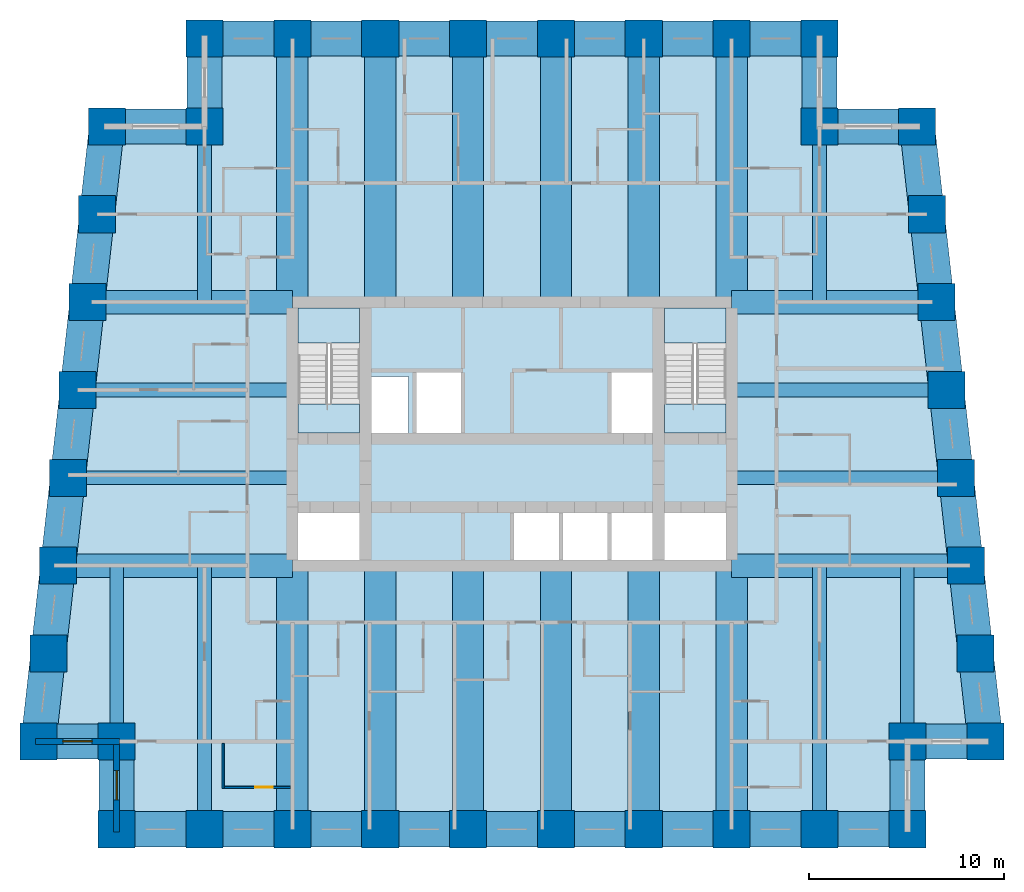
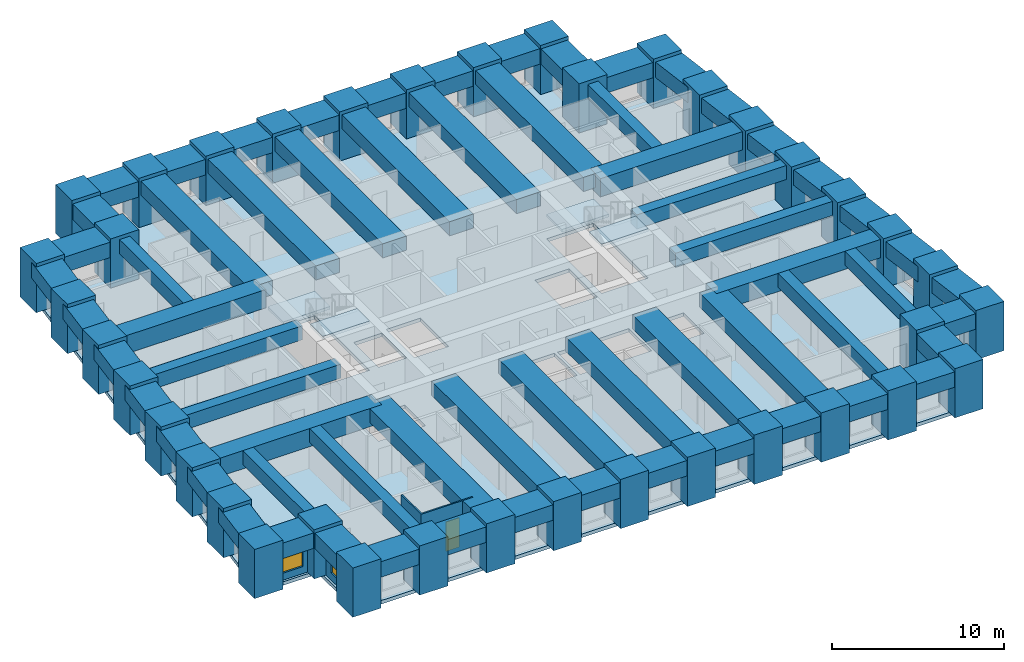
# One storey, part 1 of 8: 64 beams, 38 columns, 5 slabs, 4 walls, 2 windows, 1 door, 3 openings, 2 elements without a shape of their own.
"""IFC4 building model written with IfcOpenShell, lengths in metres."""

from ifc_helpers import new_model, si_unit, direction, frame, frame_2d, origin, origin_2d, place, context, subcontext, project, spatial, polyline, rectangle, outline, extrude, material, layer, layer_set, material_profile, profile_set, type_object, element, fill, aggregate, save


model = new_model("IFC4")

# Units and contexts
model_context = context("Model", 3, precision=1e-05, world=origin(), true_north=direction((0.0, 1.0)))
body_context = subcontext(model_context, "Body", "Model", "MODEL_VIEW")
ifc_project = project(units=[si_unit("LENGTHUNIT", "METRE"), si_unit("AREAUNIT", "SQUARE_METRE"), si_unit("VOLUMEUNIT", "CUBIC_METRE"), si_unit("PLANEANGLEUNIT", "RADIAN"), si_unit("MASSUNIT", "GRAM", prefix="KILO")], contexts=[model_context])

# Site, building, storey
site_placement = place(None, origin())
site = spatial("IfcSite", under=ifc_project, at=site_placement, CompositionType="ELEMENT")
building_placement = place(site_placement, origin())
building = spatial("IfcBuilding", under=site, at=building_placement, Name="Kilele Tower Hotel", CompositionType="ELEMENT")
storey_placement = place(building_placement, frame((0.0, 0.0, 110.89990234375)))
storey = spatial("IfcBuildingStorey", under=building, at=storey_placement, Name="L28", CompositionType="ELEMENT", Elevation=110.89990234375)

# Columns
ifc_material_1 = material(Name="Concrete C70/85", Category="concrete")
ifc_material_profile_1 = material_profile(ifc_material_1, rectangle(XDim=1.89990234375, YDim=1.89990234375, at=origin_2d()))
ifc_profile_set_1 = profile_set([ifc_material_profile_1], Name="Concrete C70/85")
column_type = type_object("IfcColumnType", Name="Tube column RC 1900x1900 C70/85", PredefinedType="COLUMN", material=ifc_profile_set_1)
for number, where, z_axis, x_axis, name in (
    (1, (0.5, 4.5, 0.0), (0.0, 0.0, 1.0), (1.0, 0.0, 0.0), "Column TC2 L28"),
    (2, (4.5, 4.5, 0.0), (0.0, 0.0, 1.0), (1.0, 0.0, 0.0), "Column TC2 L28"),
    (3, (4.5, 0.0, 0.0), (0.0, 0.0, 1.0), (1.0, 0.0, 0.0), "Column TC2 L28"),
    (4, (9.0, 0.0, 0.0), (0.0, 0.0, 1.0), (1.0, 0.0, 0.0), "Column TC2 L28"),
    (5, (13.5, 0.0, 0.0), (0.0, 0.0, 1.0), (1.0, 0.0, 0.0), "Column TC2 L28"),
    (6, (18.0, 0.0, 0.0), (0.0, 0.0, 1.0), (1.0, 0.0, 0.0), "Column TC2 L28"),
    (7, (22.5, 0.0, 0.0), (0.0, 0.0, 1.0), (1.0, 0.0, 0.0), "Column TC2 L28"),
    (8, (27.0, 0.0, 0.0), (0.0, 0.0, 1.0), (1.0, 0.0, 0.0), "Column TC2 L28"),
    (9, (31.5, 0.0, 0.0), (0.0, 0.0, 1.0), (1.0, 0.0, 0.0), "Column TC2 L28"),
    (10, (36.0, 0.0, 0.0), (0.0, 0.0, 1.0), (1.0, 0.0, 0.0), "Column TC2 L28"),
    (11, (40.5, 0.0, 0.0), (0.0, 0.0, 1.0), (1.0, 0.0, 0.0), "Column TC2 L28"),
    (12, (45.0, 0.0, 0.0), (0.0, 0.0, 1.0), (1.0, 0.0, 0.0), "Column TC2 L28"),
    (13, (45.0, 4.5, 0.0), (0.0, 0.0, 1.0), (1.0, 0.0, 0.0), "Column TC2 L28"),
    (14, (49.0, 4.5, 0.0), (0.0, 0.0, 1.0), (1.0, 0.0, 0.0), "Column TC2 L28"),
    (15, (48.5, 9.0, 0.0), (0.0, 0.0, 1.0), (1.0, 0.0, 0.0), "Column TC2 L28"),
    (16, (48.0, 13.5, 0.0), (0.0, 0.0, 1.0), (1.0, 0.0, 0.0), "Column TC2 L28"),
    (17, (47.5, 18.0, 0.0), (0.0, 0.0, 1.0), (1.0, 0.0, 0.0), "Column TC2 L28"),
    (18, (47.0, 22.5, 0.0), (0.0, 0.0, 1.0), (1.0, 0.0, 0.0), "Column TC2 L28"),
    (19, (46.5, 27.0, 0.0), (0.0, 0.0, 1.0), (1.0, 0.0, 0.0), "Column TC2 L28"),
    (20, (46.0, 31.5, 0.0), (0.0, 0.0, 1.0), (1.0, 0.0, 0.0), "Column TC2 L28"),
    (21, (45.5, 36.0, 0.0), (0.0, 0.0, 1.0), (1.0, 0.0, 0.0), "Column TC2 L28"),
    (22, (40.5, 36.0, 0.0), (0.0, 0.0, 1.0), (1.0, 0.0, 0.0), "Column TC2 L28"),
    (23, (40.5, 40.5, 0.0), (0.0, 0.0, 1.0), (1.0, 0.0, 0.0), "Column TC2 L28"),
    (24, (36.0, 40.5, 0.0), (0.0, 0.0, 1.0), (1.0, 0.0, 0.0), "Column TC2 L28"),
    (25, (31.5, 40.5, 0.0), (0.0, 0.0, 1.0), (1.0, 0.0, 0.0), "Column TC2 L28"),
    (26, (27.0, 40.5, 0.0), (0.0, 0.0, 1.0), (1.0, 0.0, 0.0), "Column TC2 L28"),
    (27, (22.5, 40.5, 0.0), (0.0, 0.0, 1.0), (1.0, 0.0, 0.0), "Column TC2 L28"),
    (28, (18.0, 40.5, 0.0), (0.0, 0.0, 1.0), (1.0, 0.0, 0.0), "Column TC2 L28"),
    (29, (13.5, 40.5, 0.0), (0.0, 0.0, 1.0), (1.0, 0.0, 0.0), "Column TC2 L28"),
    (30, (9.0, 40.5, 0.0), (0.0, 0.0, 1.0), (1.0, 0.0, 0.0), "Column TC2 L28"),
    (31, (9.0, 36.0, 0.0), (0.0, 0.0, 1.0), (1.0, 0.0, 0.0), "Column TC2 L28"),
    (32, (4.0, 36.0, 0.0), (0.0, 0.0, 1.0), (1.0, 0.0, 0.0), "Column TC2 L28"),
    (33, (3.5, 31.5, 0.0), (0.0, 0.0, 1.0), (1.0, 0.0, 0.0), "Column TC2 L28"),
    (34, (3.0, 27.0, 0.0), (0.0, 0.0, 1.0), (1.0, 0.0, 0.0), "Column TC2 L28"),
    (35, (2.5, 22.5, 0.0), (0.0, 0.0, 1.0), (1.0, 0.0, 0.0), "Column TC2 L28"),
    (36, (2.0, 18.0, 0.0), (0.0, 0.0, 1.0), (1.0, 0.0, 0.0), "Column TC2 L28"),
    (37, (1.5, 13.5, 0.0), (0.0, 0.0, 1.0), (1.0, 0.0, 0.0), "Column TC2 L28"),
    (38, (1.0, 9.0, 0.0), (0.0, 0.0, 1.0), (1.0, 0.0, 0.0), "Column TC2 L28"),
):
    element("IfcColumn", number, at=place(storey_placement, frame(where, z_axis=z_axis, x_axis=x_axis)), inside=storey, type_object=column_type, Name=name, PredefinedType="COLUMN", context=body_context, shape_type="SweptSolid", body=[
        extrude(rectangle(XDim=1.89990234375, YDim=1.89990234375, at=origin_2d()), origin(), (0.0, 0.0, 1.0), 3.5),
    ])

# Beams
ifc_material_2 = material(Name="Concrete C60/75", Category="concrete")
ifc_material_profile_2 = material_profile(ifc_material_2, rectangle(XDim=1.60009765625, YDim=1.0, at=origin_2d()))
ifc_profile_set_2 = profile_set([ifc_material_profile_2], Name="Concrete C60/75")
beam_type_1 = type_object("IfcBeamType", Name="Beam RC 1600x1000 C60/75", PredefinedType="BEAM", material=ifc_profile_set_2)
for number, where, z_axis, x_axis, name in (
    (39, (13.5, 0.0, 2.75), (0.0, 1.0, 0.0), (-1.0, 0.0, 0.0), "Beam BC1 level L29"),
    (40, (18.0, 0.0, 2.75), (0.0, 1.0, 0.0), (-1.0, 0.0, 0.0), "Beam BC1 level L29"),
    (41, (22.5, 0.0, 2.75), (0.0, 1.0, 0.0), (-1.0, 0.0, 0.0), "Beam BC1 level L29"),
    (42, (27.0, 0.0, 2.75), (0.0, 1.0, 0.0), (-1.0, 0.0, 0.0), "Beam BC1 level L29"),
    (43, (31.5, 0.0, 2.75), (0.0, 1.0, 0.0), (-1.0, 0.0, 0.0), "Beam BC1 level L29"),
    (44, (36.0, 0.0, 2.75), (0.0, 1.0, 0.0), (-1.0, 0.0, 0.0), "Beam BC1 level L29"),
    (45, (36.0, 40.5, 2.75), (0.0, -1.0, 0.0), (1.0, 0.0, 0.0), "Beam BC1 level L29"),
    (46, (31.5, 40.5, 2.75), (0.0, -1.0, 0.0), (1.0, 0.0, 0.0), "Beam BC1 level L29"),
    (47, (27.0, 40.5, 2.75), (0.0, -1.0, 0.0), (1.0, 0.0, 0.0), "Beam BC1 level L29"),
    (48, (22.5, 40.5, 2.75), (0.0, -1.0, 0.0), (1.0, 0.0, 0.0), "Beam BC1 level L29"),
    (49, (18.0, 40.5, 2.75), (0.0, -1.0, 0.0), (1.0, 0.0, 0.0), "Beam BC1 level L29"),
    (50, (13.5, 40.5, 2.75), (0.0, -1.0, 0.0), (1.0, 0.0, 0.0), "Beam BC1 level L29"),
):
    element("IfcBeam", number, at=place(storey_placement, frame(where, z_axis=z_axis, x_axis=x_axis)), inside=storey, type_object=beam_type_1, Name=name, PredefinedType="BEAM", context=body_context, shape_type="SweptSolid", body=[
        extrude(rectangle(XDim=1.60009765625, YDim=1.0, at=origin_2d()), origin(), (0.0, 0.0, 1.0), 13.5),
    ])
ifc_material_3 = material(Name="Concrete C60/75", Category="concrete")
ifc_material_profile_3 = material_profile(ifc_material_3, rectangle(XDim=0.699951171875, YDim=1.0, at=origin_2d()))
ifc_profile_set_3 = profile_set([ifc_material_profile_3], Name="Concrete C60/75")
beam_type_2 = type_object("IfcBeamType", Name="Beam RC 700x1000 C60/75", PredefinedType="BEAM", material=ifc_profile_set_3)
for number, where, z_axis, x_axis, name in (
    (51, (9.0, 0.0, 2.75), (0.0, 1.0, 0.0), (-1.0, 0.0, 0.0), "Beam B4 level L29"),
    (52, (40.5, 0.0, 2.75), (0.0, 1.0, 0.0), (-1.0, 0.0, 0.0), "Beam B4 level L29"),
):
    element("IfcBeam", number, at=place(storey_placement, frame(where, z_axis=z_axis, x_axis=x_axis)), inside=storey, type_object=beam_type_2, Name=name, PredefinedType="BEAM", context=body_context, shape_type="SweptSolid", body=[
        extrude(rectangle(XDim=0.699951171875, YDim=1.0, at=origin_2d()), origin(), (0.0, 0.0, 1.0), 13.5),
    ])
ifc_material_4 = material(Name="Concrete C60/75", Category="concrete")
ifc_material_profile_4 = material_profile(ifc_material_4, rectangle(XDim=0.699951171875, YDim=1.0, at=origin_2d()))
ifc_profile_set_4 = profile_set([ifc_material_profile_4], Name="Concrete C60/75")
beam_type_3 = type_object("IfcBeamType", Name="Beam RC 700x1000 C60/75 mid span", PredefinedType="BEAM", material=ifc_profile_set_4)
for number, where, z_axis, x_axis, name in (
    (53, (4.5, 4.5, 2.75), (0.0, 1.0, 0.0), (-1.0, 0.0, 0.0), "Beam B5 level L29"),
    (54, (45.0, 4.5, 2.75), (0.0, 1.0, 0.0), (-1.0, 0.0, 0.0), "Beam B5 level L29"),
):
    element("IfcBeam", number, at=place(storey_placement, frame(where, z_axis=z_axis, x_axis=x_axis)), inside=storey, type_object=beam_type_3, Name=name, PredefinedType="BEAM", context=body_context, shape_type="SweptSolid", body=[
        extrude(rectangle(XDim=0.699951171875, YDim=1.0, at=origin_2d()), origin(), (0.0, 0.0, 1.0), 9.0),
    ])
beam_1_placement = place(storey_placement, frame((47.5, 18.0, 2.75), z_axis=(-1.0, 0.0, 0.0), x_axis=(0.0, -1.0, 0.0)))
element("IfcBeam", 55, at=beam_1_placement, inside=storey, type_object=beam_type_3, Name="Beam B5 level L29", PredefinedType="BEAM", context=body_context, shape_type="SweptSolid", body=[
    extrude(rectangle(XDim=0.699951171875, YDim=1.0, at=origin_2d()), origin(), (0.0, 0.0, 1.0), 11.5),
])
beam_2_placement = place(storey_placement, frame((47.0, 22.5, 2.75), z_axis=(-1.0, 0.0, 0.0), x_axis=(0.0, -1.0, 0.0)))
element("IfcBeam", 56, at=beam_2_placement, inside=storey, type_object=beam_type_3, Name="Beam B5 level L29", PredefinedType="BEAM", context=body_context, shape_type="SweptSolid", body=[
    extrude(rectangle(XDim=0.699951171875, YDim=1.0, at=origin_2d()), origin(), (0.0, 0.0, 1.0), 11.0),
])
for number, where, z_axis, x_axis, name in (
    (57, (40.5, 36.0, 2.75), (0.0, -1.0, 0.0), (1.0, 0.0, 0.0), "Beam B5 level L29"),
    (58, (9.0, 36.0, 2.75), (0.0, -1.0, 0.0), (1.0, 0.0, 0.0), "Beam B5 level L29"),
):
    element("IfcBeam", number, at=place(storey_placement, frame(where, z_axis=z_axis, x_axis=x_axis)), inside=storey, type_object=beam_type_3, Name=name, PredefinedType="BEAM", context=body_context, shape_type="SweptSolid", body=[
        extrude(rectangle(XDim=0.699951171875, YDim=1.0, at=origin_2d()), origin(), (0.0, 0.0, 1.0), 9.0),
    ])
beam_3_placement = place(storey_placement, frame((2.5, 22.5, 2.75), z_axis=(1.0, 0.0, 0.0), x_axis=(0.0, 1.0, 0.0)))
element("IfcBeam", 59, at=beam_3_placement, inside=storey, type_object=beam_type_3, Name="Beam B5 level L29", PredefinedType="BEAM", context=body_context, shape_type="SweptSolid", body=[
    extrude(rectangle(XDim=0.699951171875, YDim=1.0, at=origin_2d()), origin(), (0.0, 0.0, 1.0), 11.0),
])
beam_4_placement = place(storey_placement, frame((2.0, 18.0, 2.75), z_axis=(1.0, 0.0, 0.0), x_axis=(0.0, 1.0, 0.0)))
element("IfcBeam", 60, at=beam_4_placement, inside=storey, type_object=beam_type_3, Name="Beam B5 level L29", PredefinedType="BEAM", context=body_context, shape_type="SweptSolid", body=[
    extrude(rectangle(XDim=0.699951171875, YDim=1.0, at=origin_2d()), origin(), (0.0, 0.0, 1.0), 11.5),
])
ifc_material_5 = material(Name="Concrete C60/75", Category="concrete")
ifc_material_profile_5 = material_profile(ifc_material_5, rectangle(XDim=1.199951171875, YDim=1.300048828125, at=origin_2d()))
ifc_profile_set_5 = profile_set([ifc_material_profile_5], Name="Concrete C60/75")
beam_type_4 = type_object("IfcBeamType", Name="Girder RC 1200x1300 C60/75", PredefinedType="BEAM", material=ifc_profile_set_5)
for number, where, z_axis, x_axis, name in (
    (61, (48.0, 13.5, 2.60009765625), (-1.0, 0.0, 0.0), (0.0, -1.0, 0.0), "Girder G1 level L29"),
    (62, (1.5, 13.5, 2.60009765625), (1.0, 0.0, 0.0), (0.0, 1.0, 0.0), "Girder G1 level L29"),
):
    element("IfcBeam", number, at=place(storey_placement, frame(where, z_axis=z_axis, x_axis=x_axis)), inside=storey, type_object=beam_type_4, Name=name, PredefinedType="BEAM", context=body_context, shape_type="SweptSolid", body=[
        extrude(rectangle(XDim=1.199951171875, YDim=1.300048828125, at=origin_2d()), origin(), (0.0, 0.0, 1.0), 12.0),
    ])
ifc_material_6 = material(Name="Concrete C60/75", Category="concrete")
ifc_material_profile_6 = material_profile(ifc_material_6, rectangle(XDim=1.199951171875, YDim=1.300048828125, at=origin_2d()))
ifc_profile_set_6 = profile_set([ifc_material_profile_6], Name="Concrete C60/75")
beam_type_5 = type_object("IfcBeamType", Name="Girder RC 1200x1300 C60/75 mid span", PredefinedType="BEAM", material=ifc_profile_set_6)
for number, where, z_axis, x_axis, name in (
    (63, (46.5, 27.0, 2.60009765625), (-1.0, 0.0, 0.0), (0.0, -1.0, 0.0), "Girder G3 level L29"),
    (64, (3.0, 27.0, 2.60009765625), (1.0, 0.0, 0.0), (0.0, 1.0, 0.0), "Girder G3 level L29"),
):
    element("IfcBeam", number, at=place(storey_placement, frame(where, z_axis=z_axis, x_axis=x_axis)), inside=storey, type_object=beam_type_5, Name=name, PredefinedType="BEAM", context=body_context, shape_type="SweptSolid", body=[
        extrude(rectangle(XDim=1.199951171875, YDim=1.300048828125, at=origin_2d()), origin(), (0.0, 0.0, 1.0), 10.5),
    ])
ifc_material_7 = material(Name="Concrete C60/75", Category="concrete")
ifc_material_profile_7 = material_profile(ifc_material_7, rectangle(XDim=1.800048828125, YDim=1.10009765625, at=origin_2d()))
ifc_profile_set_7 = profile_set([ifc_material_profile_7], Name="Concrete C60/75")
beam_type_6 = type_object("IfcBeamType", Name="Spandrel RC 1800x1100 C60/75", PredefinedType="SPANDREL", material=ifc_profile_set_7)
beam_5_placement = place(storey_placement, frame((0.5, 4.5, 2.7001953125), z_axis=(1.0, 0.0, 0.0), x_axis=(0.0, 1.0, 0.0)))
element("IfcBeam", 65, at=beam_5_placement, inside=storey, type_object=beam_type_6, Name="Spandrel SP4 level L29", PredefinedType="SPANDREL", context=body_context, shape_type="SweptSolid", body=[
    extrude(rectangle(XDim=1.800048828125, YDim=1.10009765625, at=origin_2d()), origin(), (0.0, 0.0, 1.0), 4.0),
])
for number, where, z_axis, x_axis, name in (
    (66, (4.5, 4.5, 2.7001953125), (0.0, -1.0, 0.0), (1.0, 0.0, 0.0), "Spandrel SP4 level L29"),
    (67, (4.5, 0.0, 2.7001953125), (1.0, 0.0, 0.0), (0.0, 1.0, 0.0), "Spandrel SP4 level L29"),
    (68, (9.0, 0.0, 2.7001953125), (1.0, 0.0, 0.0), (0.0, 1.0, 0.0), "Spandrel SP4 level L29"),
    (69, (13.5, 0.0, 2.7001953125), (1.0, 0.0, 0.0), (0.0, 1.0, 0.0), "Spandrel SP4 level L29"),
    (70, (18.0, 0.0, 2.7001953125), (1.0, 0.0, 0.0), (0.0, 1.0, 0.0), "Spandrel SP4 level L29"),
    (71, (22.5, 0.0, 2.7001953125), (1.0, 0.0, 0.0), (0.0, 1.0, 0.0), "Spandrel SP4 level L29"),
    (72, (27.0, 0.0, 2.7001953125), (1.0, 0.0, 0.0), (0.0, 1.0, 0.0), "Spandrel SP4 level L29"),
    (73, (31.5, 0.0, 2.7001953125), (1.0, 0.0, 0.0), (0.0, 1.0, 0.0), "Spandrel SP4 level L29"),
    (74, (36.0, 0.0, 2.7001953125), (1.0, 0.0, 0.0), (0.0, 1.0, 0.0), "Spandrel SP4 level L29"),
    (75, (40.5, 0.0, 2.7001953125), (1.0, 0.0, 0.0), (0.0, 1.0, 0.0), "Spandrel SP4 level L29"),
    (76, (45.0, 0.0, 2.7001953125), (0.0, 1.0, 0.0), (-1.0, 0.0, 0.0), "Spandrel SP4 level L29"),
):
    element("IfcBeam", number, at=place(storey_placement, frame(where, z_axis=z_axis, x_axis=x_axis)), inside=storey, type_object=beam_type_6, Name=name, PredefinedType="SPANDREL", context=body_context, shape_type="SweptSolid", body=[
        extrude(rectangle(XDim=1.800048828125, YDim=1.10009765625, at=origin_2d()), origin(), (0.0, 0.0, 1.0), 4.5),
    ])
beam_6_placement = place(storey_placement, frame((45.0, 4.5, 2.7001953125), z_axis=(1.0, 0.0, 0.0), x_axis=(0.0, 1.0, 0.0)))
element("IfcBeam", 77, at=beam_6_placement, inside=storey, type_object=beam_type_6, Name="Spandrel SP4 level L29", PredefinedType="SPANDREL", context=body_context, shape_type="SweptSolid", body=[
    extrude(rectangle(XDim=1.800048828125, YDim=1.10009765625, at=origin_2d()), origin(), (0.0, 0.0, 1.0), 4.0),
])
for number, where, z_axis, x_axis, name in (
    (78, (49.0, 4.5, 2.7001953125), (-0.110431526075, 0.993883734674, 0.0), (-0.993883734674, -0.110431526075, 0.0), "Spandrel SP4 level L29"),
    (79, (48.5, 9.0, 2.7001953125), (-0.110431526075, 0.993883734674, 0.0), (-0.993883734674, -0.110431526075, 0.0), "Spandrel SP4 level L29"),
    (80, (48.0, 13.5, 2.7001953125), (-0.110431526075, 0.993883734674, 0.0), (-0.993883734674, -0.110431526075, 0.0), "Spandrel SP4 level L29"),
    (81, (47.5, 18.0, 2.7001953125), (-0.110431526075, 0.993883734674, 0.0), (-0.993883734674, -0.110431526075, 0.0), "Spandrel SP4 level L29"),
    (82, (47.0, 22.5, 2.7001953125), (-0.110431526075, 0.993883734674, 0.0), (-0.993883734674, -0.110431526075, 0.0), "Spandrel SP4 level L29"),
    (83, (46.5, 27.0, 2.7001953125), (-0.110431526075, 0.993883734674, 0.0), (-0.993883734674, -0.110431526075, 0.0), "Spandrel SP4 level L29"),
    (84, (46.0, 31.5, 2.7001953125), (-0.110431526075, 0.993883734674, 0.0), (-0.993883734674, -0.110431526075, 0.0), "Spandrel SP4 level L29"),
):
    element("IfcBeam", number, at=place(storey_placement, frame(where, z_axis=z_axis, x_axis=x_axis)), inside=storey, type_object=beam_type_6, Name=name, PredefinedType="SPANDREL", context=body_context, shape_type="SweptSolid", body=[
        extrude(rectangle(XDim=1.800048828125, YDim=1.10009765625, at=origin_2d()), origin(), (0.0, 0.0, 1.0), 4.527587890625),
    ])
beam_7_placement = place(storey_placement, frame((45.5, 36.0, 2.7001953125), z_axis=(-1.0, 0.0, 0.0), x_axis=(0.0, -1.0, 0.0)))
element("IfcBeam", 85, at=beam_7_placement, inside=storey, type_object=beam_type_6, Name="Spandrel SP4 level L29", PredefinedType="SPANDREL", context=body_context, shape_type="SweptSolid", body=[
    extrude(rectangle(XDim=1.800048828125, YDim=1.10009765625, at=origin_2d()), origin(), (0.0, 0.0, 1.0), 5.0),
])
for number, where, z_axis, x_axis, name in (
    (86, (40.5, 36.0, 2.7001953125), (0.0, 1.0, 0.0), (-1.0, 0.0, 0.0), "Spandrel SP4 level L29"),
    (87, (40.5, 40.5, 2.7001953125), (-1.0, 0.0, 0.0), (0.0, -1.0, 0.0), "Spandrel SP4 level L29"),
    (88, (36.0, 40.5, 2.7001953125), (-1.0, 0.0, 0.0), (0.0, -1.0, 0.0), "Spandrel SP4 level L29"),
    (89, (31.5, 40.5, 2.7001953125), (-1.0, 0.0, 0.0), (0.0, -1.0, 0.0), "Spandrel SP4 level L29"),
    (90, (27.0, 40.5, 2.7001953125), (-1.0, 0.0, 0.0), (0.0, -1.0, 0.0), "Spandrel SP4 level L29"),
    (91, (22.5, 40.5, 2.7001953125), (-1.0, 0.0, 0.0), (0.0, -1.0, 0.0), "Spandrel SP4 level L29"),
    (92, (18.0, 40.5, 2.7001953125), (-1.0, 0.0, 0.0), (0.0, -1.0, 0.0), "Spandrel SP4 level L29"),
    (93, (13.5, 40.5, 2.7001953125), (-1.0, 0.0, 0.0), (0.0, -1.0, 0.0), "Spandrel SP4 level L29"),
    (94, (9.0, 40.5, 2.7001953125), (0.0, -1.0, 0.0), (1.0, 0.0, 0.0), "Spandrel SP4 level L29"),
):
    element("IfcBeam", number, at=place(storey_placement, frame(where, z_axis=z_axis, x_axis=x_axis)), inside=storey, type_object=beam_type_6, Name=name, PredefinedType="SPANDREL", context=body_context, shape_type="SweptSolid", body=[
        extrude(rectangle(XDim=1.800048828125, YDim=1.10009765625, at=origin_2d()), origin(), (0.0, 0.0, 1.0), 4.5),
    ])
beam_8_placement = place(storey_placement, frame((9.0, 36.0, 2.7001953125), z_axis=(-1.0, 0.0, 0.0), x_axis=(0.0, -1.0, 0.0)))
element("IfcBeam", 95, at=beam_8_placement, inside=storey, type_object=beam_type_6, Name="Spandrel SP4 level L29", PredefinedType="SPANDREL", context=body_context, shape_type="SweptSolid", body=[
    extrude(rectangle(XDim=1.800048828125, YDim=1.10009765625, at=origin_2d()), origin(), (0.0, 0.0, 1.0), 5.0),
])
for number, where, z_axis, x_axis, name in (
    (96, (4.0, 36.0, 2.7001953125), (-0.110431526075, -0.993883734674, 0.0), (0.993883734674, -0.110431526075, 0.0), "Spandrel SP4 level L29"),
    (97, (3.5, 31.5, 2.7001953125), (-0.110431526075, -0.993883734674, 0.0), (0.993883734674, -0.110431526075, 0.0), "Spandrel SP4 level L29"),
    (98, (3.0, 27.0, 2.7001953125), (-0.110431526075, -0.993883734674, 0.0), (0.993883734674, -0.110431526075, 0.0), "Spandrel SP4 level L29"),
    (99, (2.5, 22.5, 2.7001953125), (-0.110431526075, -0.993883734674, 0.0), (0.993883734674, -0.110431526075, 0.0), "Spandrel SP4 level L29"),
    (100, (2.0, 18.0, 2.7001953125), (-0.110431526075, -0.993883734674, 0.0), (0.993883734674, -0.110431526075, 0.0), "Spandrel SP4 level L29"),
    (101, (1.5, 13.5, 2.7001953125), (-0.110431526075, -0.993883734674, 0.0), (0.993883734674, -0.110431526075, 0.0), "Spandrel SP4 level L29"),
    (102, (1.0, 9.0, 2.7001953125), (-0.110431526075, -0.993883734674, 0.0), (0.993883734674, -0.110431526075, 0.0), "Spandrel SP4 level L29"),
):
    element("IfcBeam", number, at=place(storey_placement, frame(where, z_axis=z_axis, x_axis=x_axis)), inside=storey, type_object=beam_type_6, Name=name, PredefinedType="SPANDREL", context=body_context, shape_type="SweptSolid", body=[
        extrude(rectangle(XDim=1.800048828125, YDim=1.10009765625, at=origin_2d()), origin(), (0.0, 0.0, 1.0), 4.527587890625),
    ])

# Slab
ifc_material_8 = material(Name="Concrete C60/75", Category="concrete")
ifc_layer_1 = layer(ifc_material_8, 0.25)
ifc_layer_set_1 = layer_set([ifc_layer_1], Name="Concrete C60/75")
slab_type_1 = type_object("IfcSlabType", Name="Floor slab 250", PredefinedType="FLOOR", material=ifc_layer_set_1)
slab_1_placement = place(storey_placement, frame((0.0, 0.0, -0.25)))
element("IfcSlab", 103, at=slab_1_placement, inside=storey, type_object=slab_type_1, Name="Floor slab L28", PredefinedType="FLOOR", context=body_context, shape_type="SweptSolid", body=[
    extrude(outline(polyline([(8.699951171875, 36.300048828125), (8.699951171875, 40.800048828125), (40.800048828125, 40.800048828125), (40.800048828125, 36.300048828125), (45.7685546875, 36.300048828125), (49.335205078125, 4.199951171875), (45.300048828125, 4.199951171875), (45.300048828125, -0.300048828125), (4.199951171875, -0.300048828125), (4.199951171875, 4.199951171875), (0.164794921875, 4.199951171875), (3.7314453125, 36.300048828125), (8.699951171875, 36.300048828125)]), holes=[polyline([(16.949951171875, 16.199951171875), (13.800048828125, 16.199951171875), (13.800048828125, 13.800048828125), (16.949951171875, 13.800048828125), (16.949951171875, 16.199951171875)]), polyline([(35.699951171875, 16.199951171875), (32.550048828125, 16.199951171875), (32.550048828125, 13.800048828125), (35.699951171875, 13.800048828125), (35.699951171875, 16.199951171875)]), polyline([(27.14990234375, 16.39990234375), (24.85009765625, 16.39990234375), (24.85009765625, 13.800048828125), (27.14990234375, 13.800048828125), (27.14990234375, 16.39990234375)]), polyline([(29.64990234375, 13.800048828125), (29.64990234375, 16.39990234375), (27.35009765625, 16.39990234375), (27.35009765625, 13.800048828125), (29.64990234375, 13.800048828125)]), polyline([(32.14990234375, 13.800048828125), (32.14990234375, 16.39990234375), (29.85009765625, 16.39990234375), (29.85009765625, 13.800048828125), (32.14990234375, 13.800048828125)]), polyline([(19.449951171875, 23.199951171875), (17.550048828125, 23.199951171875), (17.550048828125, 20.300048828125), (19.449951171875, 20.300048828125), (19.449951171875, 23.199951171875)]), polyline([(22.14990234375, 23.39990234375), (19.85009765625, 23.39990234375), (19.85009765625, 20.10009765625), (22.14990234375, 20.10009765625), (22.14990234375, 23.39990234375)]), polyline([(32.14990234375, 23.39990234375), (29.85009765625, 23.39990234375), (29.85009765625, 20.10009765625), (32.14990234375, 20.10009765625), (32.14990234375, 23.39990234375)]), polyline([(16.949951171875, 20.300048828125), (16.949951171875, 26.699951171875), (13.800048828125, 26.699951171875), (13.800048828125, 20.300048828125), (16.949951171875, 20.300048828125)]), polyline([(35.699951171875, 20.300048828125), (35.699951171875, 26.699951171875), (32.550048828125, 26.699951171875), (32.550048828125, 20.300048828125), (35.699951171875, 20.300048828125)])]), origin(), (0.0, 0.0, 1.0), 0.25),
])

# Stair, slabs
ifc_material_9 = material(Name="Precast concrete C40/50", Category="concrete")
stair_type = type_object("IfcStairType", Name="Stair 1475 x 3500", PredefinedType="HALF_TURN_STAIR", material=ifc_material_9)
stair_1_placement = place(storey_placement, origin())
stair_1 = element("IfcStair", 104, at=stair_1_placement, inside=storey, type_object=stair_type, Name="Stair 1 L28", PredefinedType="HALF_TURN_STAIR")
ifc_material_10 = material(Name="Precast concrete C40/50", Category="concrete")
ifc_layer_2 = layer(ifc_material_10, 0.199951171875)
ifc_layer_set_2 = layer_set([ifc_layer_2], Name="Precast concrete C40/50")
slab_type_2 = type_object("IfcSlabType", Name="Stair landing 200", PredefinedType="LANDING", material=ifc_layer_set_2)
slab_2_placement = place(storey_placement, frame((0.0, 0.0, 1.550048828125)))
slab_2 = element("IfcSlab", 105, at=slab_2_placement, type_object=slab_type_2, Name="ST1 landing 1", PredefinedType="LANDING", context=body_context, shape_type="SweptSolid", body=[
    extrude(outline(polyline([(13.800048828125, 24.89501953125), (16.949951171875, 24.89501953125), (16.949951171875, 26.699951171875), (13.800048828125, 26.699951171875), (13.800048828125, 24.89501953125)])), origin(), (0.0, 0.0, 1.0), 0.199951171875),
])
slab_3_placement = place(storey_placement, frame((0.0, 0.0, 3.300048828125)))
slab_3 = element("IfcSlab", 106, at=slab_3_placement, type_object=slab_type_2, Name="ST1 landing 2", PredefinedType="LANDING", context=body_context, shape_type="SweptSolid", body=[
    extrude(outline(polyline([(13.800048828125, 20.300048828125), (16.949951171875, 20.300048828125), (16.949951171875, 21.77490234375), (13.800048828125, 21.77490234375), (13.800048828125, 20.300048828125)])), origin(), (0.0, 0.0, 1.0), 0.199951171875),
])
aggregate(stair_1, [slab_2, slab_3])

stair_2_placement = place(storey_placement, origin())
stair_2 = element("IfcStair", 107, at=stair_2_placement, inside=storey, type_object=stair_type, Name="Stair 2 L28", PredefinedType="HALF_TURN_STAIR")
slab_4_placement = place(storey_placement, frame((0.0, 0.0, 1.550048828125)))
slab_4 = element("IfcSlab", 108, at=slab_4_placement, type_object=slab_type_2, Name="ST2 landing 1", PredefinedType="LANDING", context=body_context, shape_type="SweptSolid", body=[
    extrude(outline(polyline([(32.550048828125, 24.89501953125), (35.699951171875, 24.89501953125), (35.699951171875, 26.699951171875), (32.550048828125, 26.699951171875), (32.550048828125, 24.89501953125)])), origin(), (0.0, 0.0, 1.0), 0.199951171875),
])
slab_5_placement = place(storey_placement, frame((0.0, 0.0, 3.300048828125)))
slab_5 = element("IfcSlab", 109, at=slab_5_placement, type_object=slab_type_2, Name="ST2 landing 2", PredefinedType="LANDING", context=body_context, shape_type="SweptSolid", body=[
    extrude(outline(polyline([(32.550048828125, 20.300048828125), (35.699951171875, 20.300048828125), (35.699951171875, 21.77490234375), (32.550048828125, 21.77490234375), (32.550048828125, 20.300048828125)])), origin(), (0.0, 0.0, 1.0), 0.199951171875),
])
aggregate(stair_2, [slab_4, slab_5])

# Wall
ifc_material_11 = material(Name="Moisture-resistant board")
ifc_layer_3 = layer(ifc_material_11, 0.10009765625)
ifc_layer_set_3 = layer_set([ifc_layer_3], Name="Moisture-resistant board")
wall_type_1 = type_object("IfcWallType", Name="Bathroom partition 100", PredefinedType="PLUMBINGWALL", material=ifc_layer_set_3)
wall_1_placement = place(storey_placement, frame((9.949951171875, 4.39990234375, 0.0), z_axis=(0.0, 0.0, 1.0), x_axis=(0.0, -1.0, 0.0)))
element("IfcWall", 110, at=wall_1_placement, inside=storey, type_object=wall_type_1, Name="Bathroom partition 100 L28", PredefinedType="PLUMBINGWALL", context=body_context, shape_type="SweptSolid", body=[
    extrude(rectangle(XDim=2.2998046875, YDim=0.10009765625, at=frame_2d((1.14990234375, 0.0))), origin(), (0.0, 0.0, 1.0), 3.25),
])

# Wall, opening, door
wall_2_placement = place(storey_placement, frame((13.39990234375, 2.14990234375, 0.0), z_axis=(0.0, 0.0, 1.0), x_axis=(-1.0, 0.0, 0.0)))
wall_2 = element("IfcWall", 111, at=wall_2_placement, inside=storey, type_object=wall_type_1, Name="Bathroom partition 100 L28", PredefinedType="PLUMBINGWALL", context=body_context, shape_type="SweptSolid", body=[
    extrude(rectangle(XDim=3.5, YDim=0.10009765625, at=frame_2d((1.75, 0.0))), origin(), (0.0, 0.0, 1.0), 3.25),
])
opening_1_placement = place(wall_2_placement, frame((0.89990234375, 0.0, 0.0)))
opening_1 = element("IfcOpeningElement", 112, at=opening_1_placement, cuts=wall_2, Name="Opening D2A", PredefinedType="OPENING", context=body_context, shape_type="SweptSolid", body=[
    extrude(rectangle(XDim=0.89990234375, YDim=2.10009765625, at=frame_2d((0.449951171875, 1.050048828125))), frame((0.0, 0.06005859375, 0.0), z_axis=(0.0, -1.0, 0.0), x_axis=(1.0, 0.0, 0.0)), (0.0, 0.0, 1.0), 0.1201171875),
])
ifc_material_12 = material(Name="Timber door leaf in hardwood frame", Category="wood")
door_type = type_object("IfcDoorType", Name="Bathroom door 900", OperationType="SINGLE_SWING_LEFT", PredefinedType="DOOR", material=ifc_material_12)
door_placement = place(opening_1_placement, origin())
door = element("IfcDoor", 113, at=door_placement, inside=storey, type_object=door_type, Name="Bathroom door 2819B", OperationType="SINGLE_SWING_LEFT", OverallHeight=2.10009765625, OverallWidth=0.89990234375, PredefinedType="DOOR", context=body_context, shape_type="SweptSolid", body=[
    extrude(rectangle(XDim=0.89990234375, YDim=2.10009765625, at=frame_2d((0.449951171875, 1.050048828125))), frame((0.0, 0.02490234375, 0.0), z_axis=(0.0, -1.0, 0.0), x_axis=(1.0, 0.0, 0.0)), (0.0, 0.0, 1.0), 0.050048828125),
])
fill(opening_1, door)

# Wall, opening, window
ifc_material_13 = material(Name="Concrete C40/50 precast", Category="concrete")
ifc_layer_4 = layer(ifc_material_13, 0.260009765625, Name="Precast backing", Category="LoadBearing")
ifc_material_14 = material(Name="Reconstituted stone finish", Category="masonry")
ifc_layer_5 = layer(ifc_material_14, 0.0400390625, Name="Face mix", Category="Finish")
ifc_layer_set_4 = layer_set([ifc_layer_4, ifc_layer_5], Name="Precast concrete C40/50, reconstituted stone finish")
wall_type_2 = type_object("IfcWallType", Name="Precast stone facade wall 300", PredefinedType="STANDARD", material=ifc_layer_set_4)
wall_3_placement = place(storey_placement, frame((0.35009765625, 4.5, 0.0), z_axis=(0.0, 0.0, 1.0), x_axis=(1.0, 0.0, 0.0)))
wall_3 = element("IfcWall", 114, at=wall_3_placement, inside=storey, type_object=wall_type_2, Name="Facade wall L28 edge 1", PredefinedType="STANDARD", context=body_context, shape_type="SweptSolid", body=[
    extrude(rectangle(XDim=4.2998046875, YDim=0.300048828125, at=frame_2d((2.14990234375, 0.0))), origin(), (0.0, 0.0, 1.0), 2.150146484375),
])
opening_2_placement = place(wall_3_placement, frame((1.39990234375, 0.0, 0.5)))
opening_2 = element("IfcOpeningElement", 115, at=opening_2_placement, cuts=wall_3, Name="Opening W2", PredefinedType="OPENING", context=body_context, shape_type="SweptSolid", body=[
    extrude(rectangle(XDim=1.5, YDim=1.5, at=frame_2d((0.75, 0.75))), frame((0.0, 0.159912109375, 0.0), z_axis=(0.0, -1.0, 0.0), x_axis=(1.0, 0.0, 0.0)), (0.0, 0.0, 1.0), 0.320068359375),
])
ifc_material_15 = material(Name="Aluminium frame, clear double glazing", Category="aluminium")
window_type = type_object("IfcWindowType", Name="Window W2 1500 x 1500", PartitioningType="SINGLE_PANEL", PredefinedType="WINDOW", material=ifc_material_15)
window_1_placement = place(opening_2_placement, origin())
window_1 = element("IfcWindow", 116, at=window_1_placement, inside=storey, type_object=window_type, Name="Window L28", OverallHeight=1.5, OverallWidth=1.5, PartitioningType="SINGLE_PANEL", PredefinedType="WINDOW", context=body_context, shape_type="SweptSolid", body=[
    extrude(rectangle(XDim=1.5, YDim=1.5, at=frame_2d((0.75, 0.75))), frame((0.0, 0.030029296875, 0.0), z_axis=(0.0, -1.0, 0.0), x_axis=(1.0, 0.0, 0.0)), (0.0, 0.0, 1.0), 0.06005859375),
])
fill(opening_2, window_1)

wall_4_placement = place(storey_placement, frame((4.5, 4.64990234375, 0.0), z_axis=(0.0, 0.0, 1.0), x_axis=(0.0, -1.0, 0.0)))
wall_4 = element("IfcWall", 117, at=wall_4_placement, inside=storey, type_object=wall_type_2, Name="Facade wall L28 edge 2", PredefinedType="STANDARD", context=body_context, shape_type="SweptSolid", body=[
    extrude(rectangle(XDim=4.7998046875, YDim=0.300048828125, at=frame_2d((2.39990234375, 0.0))), origin(), (0.0, 0.0, 1.0), 2.150146484375),
])
opening_3_placement = place(wall_4_placement, frame((1.64990234375, 0.0, 0.5)))
opening_3 = element("IfcOpeningElement", 118, at=opening_3_placement, cuts=wall_4, Name="Opening W2", PredefinedType="OPENING", context=body_context, shape_type="SweptSolid", body=[
    extrude(rectangle(XDim=1.5, YDim=1.5, at=frame_2d((0.75, 0.75))), frame((0.0, 0.159912109375, 0.0), z_axis=(0.0, -1.0, 0.0), x_axis=(1.0, 0.0, 0.0)), (0.0, 0.0, 1.0), 0.320068359375),
])
window_2_placement = place(opening_3_placement, origin())
window_2 = element("IfcWindow", 119, at=window_2_placement, inside=storey, type_object=window_type, Name="Window L28", OverallHeight=1.5, OverallWidth=1.5, PartitioningType="SINGLE_PANEL", PredefinedType="WINDOW", context=body_context, shape_type="SweptSolid", body=[
    extrude(rectangle(XDim=1.5, YDim=1.5, at=frame_2d((0.75, 0.75))), frame((0.0, 0.030029296875, 0.0), z_axis=(0.0, -1.0, 0.0), x_axis=(1.0, 0.0, 0.0)), (0.0, 0.0, 1.0), 0.06005859375),
])
fill(opening_3, window_2)

save(model, "model.ifc")
